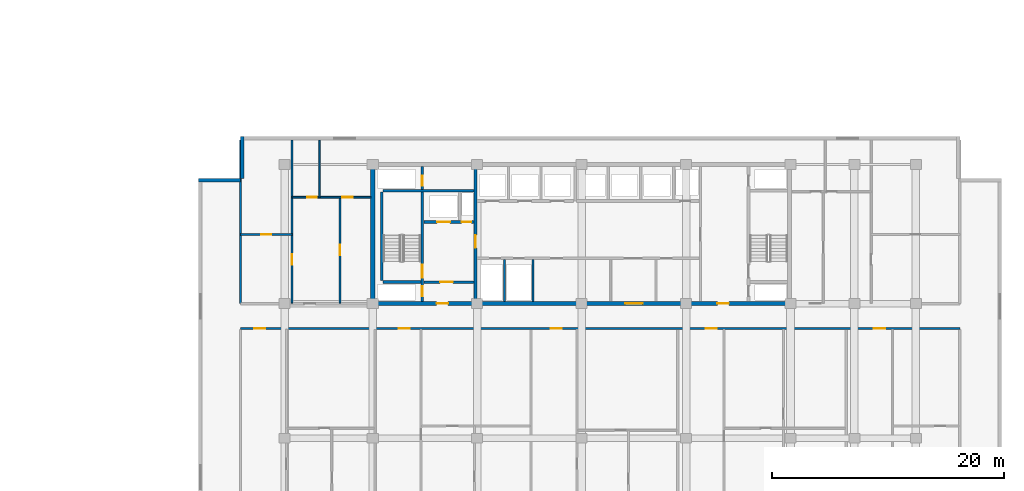
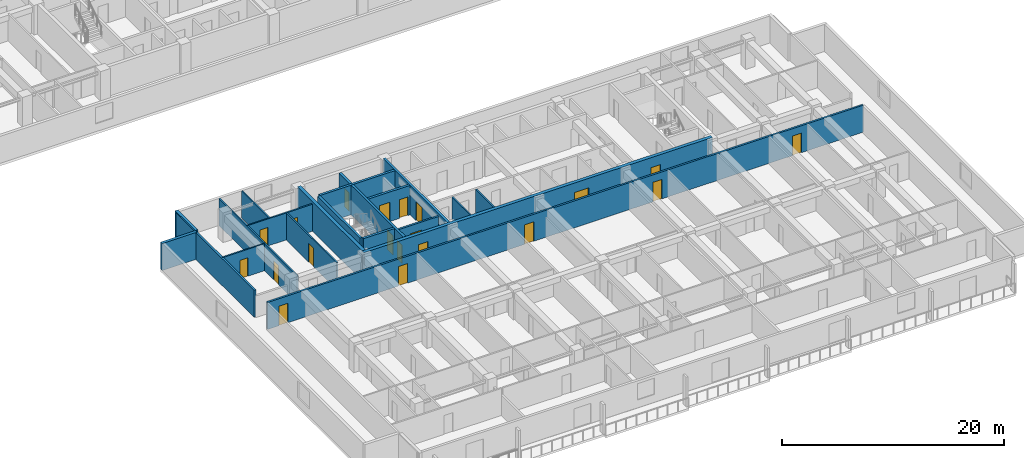
# One storey, part 6 of 24: 20 doors, 20 walls, 20 openings.
"""IFC4 building model written with IfcOpenShell, lengths in metres."""

from ifc_helpers import new_model, si_unit, direction, frame, frame_2d, origin, place, context, subcontext, project, spatial, rectangle, extrude, material, layer, layer_set, type_object, element, fill, save


model = new_model("IFC4")

# Units and contexts
model_context = context("Model", 3, precision=1e-05, world=origin(), true_north=direction((0.0, 1.0)))
body_context = subcontext(model_context, "Body", "Model", "MODEL_VIEW")
ifc_project = project(units=[si_unit("LENGTHUNIT", "METRE"), si_unit("AREAUNIT", "SQUARE_METRE"), si_unit("VOLUMEUNIT", "CUBIC_METRE"), si_unit("PLANEANGLEUNIT", "RADIAN"), si_unit("MASSUNIT", "GRAM", prefix="KILO")], contexts=[model_context])

# Site, building, storey
site_placement = place(None, origin())
site = spatial("IfcSite", under=ifc_project, at=site_placement, CompositionType="ELEMENT")
building_placement = place(site_placement, origin())
building = spatial("IfcBuilding", under=site, at=building_placement, Name="Korimba Cascade Residences", CompositionType="ELEMENT")
storey_placement = place(building_placement, frame((0.0, 0.0, 63.0)))
storey = spatial("IfcBuildingStorey", under=building, at=storey_placement, Name="L17", CompositionType="ELEMENT", Elevation=63.0)

# Walls
ifc_material_1 = material(Name="Precast concrete C40/50", Category="concrete")
ifc_layer_1 = layer(ifc_material_1, 0.300048828125)
ifc_layer_set_1 = layer_set([ifc_layer_1], Name="Precast concrete C40/50")
wall_type_1 = type_object("IfcWallType", Name="EW-STONE-300", PredefinedType="STANDARD", material=ifc_layer_set_1)
wall_1_placement = place(storey_placement, frame((70.85009765625, 32.800048828125, 0.0), z_axis=(0.0, 0.0, 1.0), x_axis=(0.0, -1.0, 0.0)))
element("IfcWall", 1, at=wall_1_placement, inside=storey, type_object=wall_type_1, Name="L17 T2 Perimeter Stone Wall E07", PredefinedType="STANDARD", context=body_context, shape_type="SweptSolid", body=[
    extrude(rectangle(XDim=3.60009765625, YDim=0.300048828125, at=frame_2d((1.800048828125, 0.0))), origin(), (0.0, 0.0, 1.0), 2.969970703125),
])
wall_2_placement = place(storey_placement, frame((70.699951171875, 29.050048828125, 0.0), z_axis=(0.0, 0.0, 1.0), x_axis=(-1.0, 0.0, 0.0)))
element("IfcWall", 2, at=wall_2_placement, inside=storey, type_object=wall_type_1, Name="L17 T2 Perimeter Stone Wall E08", PredefinedType="STANDARD", context=body_context, shape_type="SweptSolid", body=[
    extrude(rectangle(XDim=3.599853515625, YDim=0.300048828125, at=frame_2d((1.7998046875, 0.0))), origin(), (0.0, 0.0, 1.0), 2.969970703125),
])
ifc_material_2 = material(Name="Concrete C65/80", Category="concrete")
ifc_layer_2 = layer(ifc_material_2, 0.35009765625)
ifc_layer_set_2 = layer_set([ifc_layer_2], Name="Concrete C65/80")
wall_type_2 = type_object("IfcWallType", Name="WAL-CORE-350", PredefinedType="SHEAR", material=ifc_layer_set_2)
wall_3_placement = place(storey_placement, frame((82.10009765625, 18.574951171875, 0.0), z_axis=(0.0, 0.0, 1.0), x_axis=(0.0, 1.0, 0.0)))
element("IfcWall", 3, at=wall_3_placement, inside=storey, type_object=wall_type_2, Name="L17 Core Shear Wall CW-L17-T2-W", PredefinedType="SHEAR", context=body_context, shape_type="SweptSolid", body=[
    extrude(rectangle(XDim=11.650146484375, YDim=0.35009765625, at=frame_2d((5.8251953125, 0.0))), origin(), (0.0, 0.0, 1.0), 3.25),
])

# Wall, openings, doors
wall_4_placement = place(storey_placement, frame((81.925048828125, 18.39990234375, 0.0), z_axis=(0.0, 0.0, 1.0), x_axis=(1.0, 0.0, 0.0)))
wall_4 = element("IfcWall", 4, at=wall_4_placement, inside=storey, type_object=wall_type_2, Name="L17 Core Shear Wall CW-L17-T2-S", PredefinedType="SHEAR", context=body_context, shape_type="SweptSolid", body=[
    extrude(rectangle(XDim=36.264892578125, YDim=0.35009765625, at=frame_2d((18.13232421875, 0.0))), origin(), (0.0, 0.0, 1.0), 3.25),
])
opening_1_placement = place(wall_4_placement, frame((5.675048828125, 0.0, 0.0)))
opening_1 = element("IfcOpeningElement", 5, at=opening_1_placement, cuts=wall_4, Name="Opening D-FD5", PredefinedType="OPENING", context=body_context, shape_type="SweptSolid", body=[
    extrude(rectangle(XDim=1.0, YDim=2.14990234375, at=frame_2d((0.5, 1.074951171875))), frame((0.0, 0.18505859375, 0.0), z_axis=(0.0, -1.0, 0.0), x_axis=(1.0, 0.0, 0.0)), (0.0, 0.0, 1.0), 0.3701171875),
])
opening_2_placement = place(wall_4_placement, frame((21.925048828125, 0.0, 0.0)))
opening_2 = element("IfcOpeningElement", 6, at=opening_2_placement, cuts=wall_4, Name="Opening D-FD8", PredefinedType="OPENING", context=body_context, shape_type="SweptSolid", body=[
    extrude(rectangle(XDim=1.5, YDim=2.199951171875, at=frame_2d((0.75, 1.10009765625))), frame((0.0, 0.18505859375, 0.0), z_axis=(0.0, -1.0, 0.0), x_axis=(1.0, 0.0, 0.0)), (0.0, 0.0, 1.0), 0.3701171875),
])
opening_3_placement = place(wall_4_placement, frame((29.875, 0.0, 0.0)))
opening_3 = element("IfcOpeningElement", 7, at=opening_3_placement, cuts=wall_4, Name="Opening D-FD5", PredefinedType="OPENING", context=body_context, shape_type="SweptSolid", body=[
    extrude(rectangle(XDim=1.0, YDim=2.14990234375, at=frame_2d((0.5, 1.074951171875))), frame((0.0, 0.18505859375, 0.0), z_axis=(0.0, -1.0, 0.0), x_axis=(1.0, 0.0, 0.0)), (0.0, 0.0, 1.0), 0.3701171875),
])
ifc_material_3 = material(Name="Fire-Rated Acoustic Timber Vestibule Door", Category="wood")
door_type_1 = type_object("IfcDoorType", Name="DR-FD90-1000", OperationType="NOTDEFINED", PredefinedType="DOOR", material=ifc_material_3)
door_1_placement = place(opening_1_placement, origin())
door_1 = element("IfcDoor", 8, at=door_1_placement, inside=storey, type_object=door_type_1, Name="L17 T2 West Core Vestibule Fire Door", OperationType="SINGLE_SWING_LEFT", OverallHeight=2.14990234375, OverallWidth=1.0, PredefinedType="DOOR", context=body_context, shape_type="SweptSolid", body=[
    extrude(rectangle(XDim=1.0, YDim=2.14990234375, at=frame_2d((0.5, 1.074951171875))), frame((0.0, 0.02490234375, 0.0), z_axis=(0.0, -1.0, 0.0), x_axis=(1.0, 0.0, 0.0)), (0.0, 0.0, 1.0), 0.050048828125),
])
fill(opening_1, door_1)
door_2_placement = place(opening_3_placement, origin())
door_2 = element("IfcDoor", 9, at=door_2_placement, inside=storey, type_object=door_type_1, Name="L17 T2 East Stair Vestibule Fire Door", OperationType="SINGLE_SWING_RIGHT", OverallHeight=2.14990234375, OverallWidth=1.0, PredefinedType="DOOR", context=body_context, shape_type="SweptSolid", body=[
    extrude(rectangle(XDim=1.0, YDim=2.14990234375, at=frame_2d((0.5, 1.074951171875))), frame((0.0, 0.02490234375, 0.0), z_axis=(0.0, -1.0, 0.0), x_axis=(1.0, 0.0, 0.0)), (0.0, 0.0, 1.0), 0.050048828125),
])
fill(opening_3, door_2)
ifc_material_4 = material(Name="Fire-Rated Glazed Lift Lobby Double Door", Category="glass")
door_type_2 = type_object("IfcDoorType", Name="DR-FD90-1500", OperationType="NOTDEFINED", PredefinedType="DOOR", material=ifc_material_4)
door_3_placement = place(opening_2_placement, origin())
door_3 = element("IfcDoor", 10, at=door_3_placement, inside=storey, type_object=door_type_2, Name="L17 T2 Lift Lobby Fire Door", OperationType="DOUBLE_DOOR_SINGLE_SWING", OverallHeight=2.199951171875, OverallWidth=1.5, PredefinedType="DOOR", context=body_context, shape_type="SweptSolid", body=[
    extrude(rectangle(XDim=1.5, YDim=2.199951171875, at=frame_2d((0.75, 1.10009765625))), frame((0.0, 0.02490234375, 0.0), z_axis=(0.0, -1.0, 0.0), x_axis=(1.0, 0.0, 0.0)), (0.0, 0.0, 1.0), 0.050048828125),
])
fill(opening_2, door_3)

# Wall
ifc_layer_3 = layer(ifc_material_1, 0.199951171875)
ifc_layer_set_3 = layer_set([ifc_layer_3], Name="Precast concrete C40/50")
wall_type_3 = type_object("IfcWallType", Name="WAL-IT-200", PredefinedType="PARTITIONING", material=ifc_layer_set_3)
wall_5_placement = place(storey_placement, frame((70.699951171875, 18.39990234375, 0.0), z_axis=(0.0, 0.0, 1.0), x_axis=(0.0, 1.0, 0.0)))
element("IfcWall", 11, at=wall_5_placement, inside=storey, type_object=wall_type_3, Name="L17 Partition Wall WAL-L17-T2-FW-WL", PredefinedType="PARTITIONING", context=body_context, shape_type="SweptSolid", body=[
    extrude(rectangle(XDim=14.10009765625, YDim=0.199951171875, at=frame_2d((7.050048828125, 0.0))), origin(), (0.0, 0.0, 1.0), 2.969970703125),
])

# Wall, openings, doors
wall_6_placement = place(storey_placement, frame((70.699951171875, 16.25, 0.0), z_axis=(0.0, 0.0, 1.0), x_axis=(1.0, 0.0, 0.0)))
wall_6 = element("IfcWall", 12, at=wall_6_placement, inside=storey, type_object=wall_type_3, Name="L17 Partition Wall WAL-L17-T2-CORS", PredefinedType="PARTITIONING", context=body_context, shape_type="SweptSolid", body=[
    extrude(rectangle(XDim=62.0, YDim=0.199951171875, at=frame_2d((31.0, 0.0))), origin(), (0.0, 0.0, 1.0), 2.969970703125),
])
opening_4_placement = place(wall_6_placement, frame((1.18603515625, 0.0, 0.0)))
opening_4 = element("IfcOpeningElement", 13, at=opening_4_placement, cuts=wall_6, Name="Opening D-UN1", PredefinedType="OPENING", context=body_context, shape_type="SweptSolid", body=[
    extrude(rectangle(XDim=0.949951171875, YDim=2.14990234375, at=frame_2d((0.47509765625, 1.074951171875))), frame((0.0, 0.10986328125, 0.0), z_axis=(0.0, -1.0, 0.0), x_axis=(1.0, 0.0, 0.0)), (0.0, 0.0, 1.0), 0.219970703125),
])
opening_5_placement = place(wall_6_placement, frame((13.634765625, 0.0, 0.0)))
opening_5 = element("IfcOpeningElement", 14, at=opening_5_placement, cuts=wall_6, Name="Opening D-UN1", PredefinedType="OPENING", context=body_context, shape_type="SweptSolid", body=[
    extrude(rectangle(XDim=0.949951171875, YDim=2.14990234375, at=frame_2d((0.47509765625, 1.074951171875))), frame((0.0, 0.10986328125, 0.0), z_axis=(0.0, -1.0, 0.0), x_axis=(1.0, 0.0, 0.0)), (0.0, 0.0, 1.0), 0.219970703125),
])
opening_6_placement = place(wall_6_placement, frame((26.750244140625, 0.0, 0.0)))
opening_6 = element("IfcOpeningElement", 15, at=opening_6_placement, cuts=wall_6, Name="Opening D-UN1", PredefinedType="OPENING", context=body_context, shape_type="SweptSolid", body=[
    extrude(rectangle(XDim=0.949951171875, YDim=2.14990234375, at=frame_2d((0.47509765625, 1.074951171875))), frame((0.0, 0.10986328125, 0.0), z_axis=(0.0, -1.0, 0.0), x_axis=(1.0, 0.0, 0.0)), (0.0, 0.0, 1.0), 0.219970703125),
])
opening_7_placement = place(wall_6_placement, frame((40.080810546875, 0.0, 0.0)))
opening_7 = element("IfcOpeningElement", 16, at=opening_7_placement, cuts=wall_6, Name="Opening D-UN1", PredefinedType="OPENING", context=body_context, shape_type="SweptSolid", body=[
    extrude(rectangle(XDim=0.949951171875, YDim=2.14990234375, at=frame_2d((0.47509765625, 1.074951171875))), frame((0.0, 0.10986328125, 0.0), z_axis=(0.0, -1.0, 0.0), x_axis=(1.0, 0.0, 0.0)), (0.0, 0.0, 1.0), 0.219970703125),
])
opening_8_placement = place(wall_6_placement, frame((54.596435546875, 0.0, 0.0)))
opening_8 = element("IfcOpeningElement", 17, at=opening_8_placement, cuts=wall_6, Name="Opening D-UN1", PredefinedType="OPENING", context=body_context, shape_type="SweptSolid", body=[
    extrude(rectangle(XDim=0.949951171875, YDim=2.14990234375, at=frame_2d((0.47509765625, 1.074951171875))), frame((0.0, 0.10986328125, 0.0), z_axis=(0.0, -1.0, 0.0), x_axis=(1.0, 0.0, 0.0)), (0.0, 0.0, 1.0), 0.219970703125),
])
ifc_material_5 = material(Name="Fire-Rated Hardwood Apartment Entrance Door", Category="wood")
door_type_3 = type_object("IfcDoorType", Name="DR-FD60-950", OperationType="NOTDEFINED", PredefinedType="DOOR", material=ifc_material_5)
door_4_placement = place(opening_4_placement, origin())
door_4 = element("IfcDoor", 18, at=door_4_placement, inside=storey, type_object=door_type_3, Name="Unit L17-T2-U01 Entrance Door", OperationType="SINGLE_SWING_LEFT", OverallHeight=2.14990234375, OverallWidth=0.949951171875, PredefinedType="DOOR", context=body_context, shape_type="SweptSolid", body=[
    extrude(rectangle(XDim=0.949951171875, YDim=2.14990234375, at=frame_2d((0.47509765625, 1.074951171875))), frame((0.0, 0.02490234375, 0.0), z_axis=(0.0, -1.0, 0.0), x_axis=(1.0, 0.0, 0.0)), (0.0, 0.0, 1.0), 0.050048828125),
])
fill(opening_4, door_4)
door_5_placement = place(opening_5_placement, origin())
door_5 = element("IfcDoor", 19, at=door_5_placement, inside=storey, type_object=door_type_3, Name="Unit L17-T2-U02 Entrance Door", OperationType="SINGLE_SWING_RIGHT", OverallHeight=2.14990234375, OverallWidth=0.949951171875, PredefinedType="DOOR", context=body_context, shape_type="SweptSolid", body=[
    extrude(rectangle(XDim=0.949951171875, YDim=2.14990234375, at=frame_2d((0.47509765625, 1.074951171875))), frame((0.0, 0.02490234375, 0.0), z_axis=(0.0, -1.0, 0.0), x_axis=(1.0, 0.0, 0.0)), (0.0, 0.0, 1.0), 0.050048828125),
])
fill(opening_5, door_5)
door_6_placement = place(opening_6_placement, origin())
door_6 = element("IfcDoor", 20, at=door_6_placement, inside=storey, type_object=door_type_3, Name="Unit L17-T2-U03 Entrance Door", OperationType="SINGLE_SWING_LEFT", OverallHeight=2.14990234375, OverallWidth=0.949951171875, PredefinedType="DOOR", context=body_context, shape_type="SweptSolid", body=[
    extrude(rectangle(XDim=0.949951171875, YDim=2.14990234375, at=frame_2d((0.47509765625, 1.074951171875))), frame((0.0, 0.02490234375, 0.0), z_axis=(0.0, -1.0, 0.0), x_axis=(1.0, 0.0, 0.0)), (0.0, 0.0, 1.0), 0.050048828125),
])
fill(opening_6, door_6)
door_7_placement = place(opening_7_placement, origin())
door_7 = element("IfcDoor", 21, at=door_7_placement, inside=storey, type_object=door_type_3, Name="Unit L17-T2-U04 Entrance Door", OperationType="SINGLE_SWING_RIGHT", OverallHeight=2.14990234375, OverallWidth=0.949951171875, PredefinedType="DOOR", context=body_context, shape_type="SweptSolid", body=[
    extrude(rectangle(XDim=0.949951171875, YDim=2.14990234375, at=frame_2d((0.47509765625, 1.074951171875))), frame((0.0, 0.02490234375, 0.0), z_axis=(0.0, -1.0, 0.0), x_axis=(1.0, 0.0, 0.0)), (0.0, 0.0, 1.0), 0.050048828125),
])
fill(opening_7, door_7)
door_8_placement = place(opening_8_placement, origin())
door_8 = element("IfcDoor", 22, at=door_8_placement, inside=storey, type_object=door_type_3, Name="Unit L17-T2-U05 Entrance Door", OperationType="SINGLE_SWING_LEFT", OverallHeight=2.14990234375, OverallWidth=0.949951171875, PredefinedType="DOOR", context=body_context, shape_type="SweptSolid", body=[
    extrude(rectangle(XDim=0.949951171875, YDim=2.14990234375, at=frame_2d((0.47509765625, 1.074951171875))), frame((0.0, 0.02490234375, 0.0), z_axis=(0.0, -1.0, 0.0), x_axis=(1.0, 0.0, 0.0)), (0.0, 0.0, 1.0), 0.050048828125),
])
fill(opening_8, door_8)

# Walls
ifc_material_6 = material(Name="Insulated Acoustic Stud Partition", Category="gypsum")
ifc_layer_4 = layer(ifc_material_6, 0.14990234375)
ifc_layer_set_4 = layer_set([ifc_layer_4], Name="Insulated Acoustic Stud Partition")
wall_type_4 = type_object("IfcWallType", Name="WAL-PART-150", PredefinedType="PARTITIONING", material=ifc_layer_set_4)
for number, where, z_axis, x_axis, name in (
    (23, (93.449951171875, 18.60009765625, 0.0), (0.0, 0.0, 1.0), (0.0, 1.0, 0.0), "L17 Partition Wall CW-L17-T2-ERDIV"),
    (24, (95.89990234375, 18.60009765625, 0.0), (0.0, 0.0, 1.0), (0.0, 1.0, 0.0), "L17 Partition Wall CW-L17-T2-PRDIV"),
):
    element("IfcWall", number, at=place(storey_placement, frame(where, z_axis=z_axis, x_axis=x_axis)), inside=storey, type_object=wall_type_4, Name=name, PredefinedType="PARTITIONING", context=body_context, shape_type="SweptSolid", body=[
        extrude(rectangle(XDim=3.599853515625, YDim=0.14990234375, at=frame_2d((1.7998046875, 0.0))), origin(), (0.0, 0.0, 1.0), 2.969970703125),
    ])

# Wall, opening, door
wall_7_placement = place(storey_placement, frame((70.699951171875, 24.35009765625, 0.0), z_axis=(0.0, 0.0, 1.0), x_axis=(1.0, 0.0, 0.0)))
wall_7 = element("IfcWall", 25, at=wall_7_placement, inside=storey, type_object=wall_type_4, Name="L17 Partition Wall WAL-L17-T2-FW-STH", PredefinedType="PARTITIONING", context=body_context, shape_type="SweptSolid", body=[
    extrude(rectangle(XDim=4.449951171875, YDim=0.14990234375, at=frame_2d((2.22509765625, 0.0))), origin(), (0.0, 0.0, 1.0), 2.969970703125),
])
opening_9_placement = place(wall_7_placement, frame((1.804931640625, 0.0, 0.0)))
opening_9 = element("IfcOpeningElement", 26, at=opening_9_placement, cuts=wall_7, Name="Opening D-BT1", PredefinedType="OPENING", context=body_context, shape_type="SweptSolid", body=[
    extrude(rectangle(XDim=0.840087890625, YDim=2.0400390625, at=frame_2d((0.419921875, 1.02001953125))), frame((0.0, 0.0849609375, 0.0), z_axis=(0.0, -1.0, 0.0), x_axis=(1.0, 0.0, 0.0)), (0.0, 0.0, 1.0), 0.169921875),
])
ifc_material_7 = material(Name="Moisture-Resistant Bathroom Timber Door", Category="wood")
door_type_4 = type_object("IfcDoorType", Name="DR-INT-850", OperationType="NOTDEFINED", PredefinedType="DOOR", material=ifc_material_7)
door_9_placement = place(opening_9_placement, origin())
door_9 = element("IfcDoor", 27, at=door_9_placement, inside=storey, type_object=door_type_4, Name="L17-T2-FW Dressing Store Door", OperationType="SINGLE_SWING_RIGHT", OverallHeight=2.0400390625, OverallWidth=0.840087890625, PredefinedType="DOOR", context=body_context, shape_type="SweptSolid", body=[
    extrude(rectangle(XDim=0.840087890625, YDim=2.0400390625, at=frame_2d((0.419921875, 1.02001953125))), frame((0.0, 0.02490234375, 0.0), z_axis=(0.0, -1.0, 0.0), x_axis=(1.0, 0.0, 0.0)), (0.0, 0.0, 1.0), 0.050048828125),
])
fill(opening_9, door_9)

wall_8_placement = place(storey_placement, frame((75.14990234375, 18.449951171875, 0.0), z_axis=(0.0, 0.0, 1.0), x_axis=(0.0, 1.0, 0.0)))
wall_8 = element("IfcWall", 28, at=wall_8_placement, inside=storey, type_object=wall_type_4, Name="L17 Partition Wall WAL-L17-T2-FW-STV", PredefinedType="PARTITIONING", context=body_context, shape_type="SweptSolid", body=[
    extrude(rectangle(XDim=14.050048828125, YDim=0.14990234375, at=frame_2d((7.02490234375, 0.0))), origin(), (0.0, 0.0, 1.0), 2.969970703125),
])
opening_10_placement = place(wall_8_placement, frame((3.320068359375, 0.0, 0.0)))
opening_10 = element("IfcOpeningElement", 29, at=opening_10_placement, cuts=wall_8, Name="Opening D-IN2", PredefinedType="OPENING", context=body_context, shape_type="SweptSolid", body=[
    extrude(rectangle(XDim=0.8798828125, YDim=2.06005859375, at=frame_2d((0.43994140625, 1.030029296875))), frame((0.0, 0.0849609375, 0.0), z_axis=(0.0, -1.0, 0.0), x_axis=(1.0, 0.0, 0.0)), (0.0, 0.0, 1.0), 0.169921875),
])
ifc_material_8 = material(Name="Acoustic Timber Bedroom Door", Category="wood")
door_type_5 = type_object("IfcDoorType", Name="DR-INT-880", OperationType="NOTDEFINED", PredefinedType="DOOR", material=ifc_material_8)
door_10_placement = place(opening_10_placement, origin())
door_10 = element("IfcDoor", 30, at=door_10_placement, inside=storey, type_object=door_type_5, Name="L17-T2-FW Study Door", OperationType="SINGLE_SWING_LEFT", OverallHeight=2.06005859375, OverallWidth=0.8798828125, PredefinedType="DOOR", context=body_context, shape_type="SweptSolid", body=[
    extrude(rectangle(XDim=0.8798828125, YDim=2.06005859375, at=frame_2d((0.43994140625, 1.030029296875))), frame((0.0, 0.02490234375, 0.0), z_axis=(0.0, -1.0, 0.0), x_axis=(1.0, 0.0, 0.0)), (0.0, 0.0, 1.0), 0.050048828125),
])
fill(opening_10, door_10)

wall_9_placement = place(storey_placement, frame((79.27001953125, 18.449951171875, 0.0), z_axis=(0.0, 0.0, 1.0), x_axis=(0.0, 1.0, 0.0)))
wall_9 = element("IfcWall", 31, at=wall_9_placement, inside=storey, type_object=wall_type_4, Name="L17 Partition Wall WAL-L17-T2-FW-VS", PredefinedType="PARTITIONING", context=body_context, shape_type="SweptSolid", body=[
    extrude(rectangle(XDim=9.1201171875, YDim=0.14990234375, at=frame_2d((4.56005859375, 0.0))), origin(), (0.0, 0.0, 1.0), 2.969970703125),
])
opening_11_placement = place(wall_9_placement, frame((4.10009765625, 0.0, 0.0)))
opening_11 = element("IfcOpeningElement", 32, at=opening_11_placement, cuts=wall_9, Name="Opening D-IN1", PredefinedType="OPENING", context=body_context, shape_type="SweptSolid", body=[
    extrude(rectangle(XDim=0.919921875, YDim=2.080078125, at=frame_2d((0.4599609375, 1.0400390625))), frame((0.0, 0.0849609375, 0.0), z_axis=(0.0, -1.0, 0.0), x_axis=(1.0, 0.0, 0.0)), (0.0, 0.0, 1.0), 0.169921875),
])
ifc_material_9 = material(Name="Acoustic Timber Living Door", Category="wood")
door_type_6 = type_object("IfcDoorType", Name="DR-INT-920", OperationType="NOTDEFINED", PredefinedType="DOOR", material=ifc_material_9)
door_11_placement = place(opening_11_placement, origin())
door_11 = element("IfcDoor", 33, at=door_11_placement, inside=storey, type_object=door_type_6, Name="L17-T2-FW Living Door", OperationType="SINGLE_SWING_RIGHT", OverallHeight=2.080078125, OverallWidth=0.919921875, PredefinedType="DOOR", context=body_context, shape_type="SweptSolid", body=[
    extrude(rectangle(XDim=0.919921875, YDim=2.080078125, at=frame_2d((0.4599609375, 1.0400390625))), frame((0.0, 0.02490234375, 0.0), z_axis=(0.0, -1.0, 0.0), x_axis=(1.0, 0.0, 0.0)), (0.0, 0.0, 1.0), 0.050048828125),
])
fill(opening_11, door_11)

# Wall
wall_10_placement = place(storey_placement, frame((77.5, 27.570068359375, 0.0), z_axis=(0.0, 0.0, 1.0), x_axis=(0.0, 1.0, 0.0)))
element("IfcWall", 34, at=wall_10_placement, inside=storey, type_object=wall_type_4, Name="L17 Partition Wall WAL-L17-T2-FW-VN", PredefinedType="PARTITIONING", context=body_context, shape_type="SweptSolid", body=[
    extrude(rectangle(XDim=4.929931640625, YDim=0.14990234375, at=frame_2d((2.46484375, 0.0))), origin(), (0.0, 0.0, 1.0), 2.969970703125),
])

# Wall, openings, doors
wall_11_placement = place(storey_placement, frame((75.169921875, 27.570068359375, 0.0), z_axis=(0.0, 0.0, 1.0), x_axis=(1.0, 0.0, 0.0)))
wall_11 = element("IfcWall", 35, at=wall_11_placement, inside=storey, type_object=wall_type_4, Name="L17 Partition Wall WAL-L17-T2-FW-H", PredefinedType="PARTITIONING", context=body_context, shape_type="SweptSolid", body=[
    extrude(rectangle(XDim=6.760009765625, YDim=0.14990234375, at=frame_2d((3.3798828125, 0.0))), origin(), (0.0, 0.0, 1.0), 2.969970703125),
])
opening_12_placement = place(wall_11_placement, frame((1.266357421875, 0.0, 0.0)))
opening_12 = element("IfcOpeningElement", 36, at=opening_12_placement, cuts=wall_11, Name="Opening D-BT1", PredefinedType="OPENING", context=body_context, shape_type="SweptSolid", body=[
    extrude(rectangle(XDim=0.840087890625, YDim=2.0400390625, at=frame_2d((0.419921875, 1.02001953125))), frame((0.0, 0.0849609375, 0.0), z_axis=(0.0, -1.0, 0.0), x_axis=(1.0, 0.0, 0.0)), (0.0, 0.0, 1.0), 0.169921875),
])
opening_13_placement = place(wall_11_placement, frame((4.320068359375, 0.0, 0.0)))
opening_13 = element("IfcOpeningElement", 37, at=opening_13_placement, cuts=wall_11, Name="Opening D-IN2", PredefinedType="OPENING", context=body_context, shape_type="SweptSolid", body=[
    extrude(rectangle(XDim=0.8798828125, YDim=2.06005859375, at=frame_2d((0.43994140625, 1.030029296875))), frame((0.0, 0.0849609375, 0.0), z_axis=(0.0, -1.0, 0.0), x_axis=(1.0, 0.0, 0.0)), (0.0, 0.0, 1.0), 0.169921875),
])
door_12_placement = place(opening_12_placement, origin())
door_12 = element("IfcDoor", 38, at=door_12_placement, inside=storey, type_object=door_type_4, Name="L17-T2-FW Bathroom Door", OperationType="SINGLE_SWING_LEFT", OverallHeight=2.0400390625, OverallWidth=0.840087890625, PredefinedType="DOOR", context=body_context, shape_type="SweptSolid", body=[
    extrude(rectangle(XDim=0.840087890625, YDim=2.0400390625, at=frame_2d((0.419921875, 1.02001953125))), frame((0.0, 0.02490234375, 0.0), z_axis=(0.0, -1.0, 0.0), x_axis=(1.0, 0.0, 0.0)), (0.0, 0.0, 1.0), 0.050048828125),
])
fill(opening_12, door_12)
door_13_placement = place(opening_13_placement, origin())
door_13 = element("IfcDoor", 39, at=door_13_placement, inside=storey, type_object=door_type_5, Name="L17-T2-FW Bedroom Door", OperationType="SINGLE_SWING_RIGHT", OverallHeight=2.06005859375, OverallWidth=0.8798828125, PredefinedType="DOOR", context=body_context, shape_type="SweptSolid", body=[
    extrude(rectangle(XDim=0.8798828125, YDim=2.06005859375, at=frame_2d((0.43994140625, 1.030029296875))), frame((0.0, 0.02490234375, 0.0), z_axis=(0.0, -1.0, 0.0), x_axis=(1.0, 0.0, 0.0)), (0.0, 0.0, 1.0), 0.050048828125),
])
fill(opening_13, door_13)

# Wall, opening, door
ifc_material_10 = material(Name="Concrete C40/50", Category="concrete")
ifc_layer_5 = layer(ifc_material_10, 0.199951171875)
ifc_layer_set_5 = layer_set([ifc_layer_5], Name="Concrete C40/50")
wall_type_5 = type_object("IfcWallType", Name="WAL-PART-200", PredefinedType="PARTITIONING", material=ifc_layer_set_5)
wall_12_placement = place(storey_placement, frame((86.5, 20.25, 0.0), z_axis=(0.0, 0.0, 1.0), x_axis=(1.0, 0.0, 0.0)))
wall_12 = element("IfcWall", 40, at=wall_12_placement, inside=storey, type_object=wall_type_5, Name="L17 Partition Wall CW-L17-T2-FFLS", PredefinedType="PARTITIONING", context=body_context, shape_type="SweptSolid", body=[
    extrude(rectangle(XDim=4.320068359375, YDim=0.199951171875, at=frame_2d((2.16015625, 0.0))), origin(), (0.0, 0.0, 1.0), 2.969970703125),
])
opening_14_placement = place(wall_12_placement, frame((1.39990234375, 0.0, 0.0)))
opening_14 = element("IfcOpeningElement", 41, at=opening_14_placement, cuts=wall_12, Name="Opening D-FD1", PredefinedType="OPENING", context=body_context, shape_type="SweptSolid", body=[
    extrude(rectangle(XDim=1.10009765625, YDim=2.10009765625, at=frame_2d((0.550048828125, 1.050048828125))), frame((0.0, 0.10986328125, 0.0), z_axis=(0.0, -1.0, 0.0), x_axis=(1.0, 0.0, 0.0)), (0.0, 0.0, 1.0), 0.219970703125),
])
ifc_material_11 = material(Name="Fire-Rated Steel Core Door", Category="steel")
door_type_7 = type_object("IfcDoorType", Name="DR-FD120-1100", OperationType="NOTDEFINED", PredefinedType="DOOR", material=ifc_material_11)
door_14_placement = place(opening_14_placement, origin())
door_14 = element("IfcDoor", 42, at=door_14_placement, inside=storey, type_object=door_type_7, Name="L17 T2 Firefighting Lobby Door", OperationType="SINGLE_SWING_LEFT", OverallHeight=2.10009765625, OverallWidth=1.10009765625, PredefinedType="DOOR", context=body_context, shape_type="SweptSolid", body=[
    extrude(rectangle(XDim=1.10009765625, YDim=2.10009765625, at=frame_2d((0.550048828125, 1.050048828125))), frame((0.0, 0.02490234375, 0.0), z_axis=(0.0, -1.0, 0.0), x_axis=(1.0, 0.0, 0.0)), (0.0, 0.0, 1.0), 0.050048828125),
])
fill(opening_14, door_14)

# Wall
ifc_material_12 = material(Name="Concrete C50/60", Category="concrete")
ifc_layer_6 = layer(ifc_material_12, 0.25)
ifc_layer_set_6 = layer_set([ifc_layer_6], Name="Concrete C50/60")
wall_type_6 = type_object("IfcWallType", Name="WAL-SHAFT-250", PredefinedType="SHEAR", material=ifc_layer_set_6)
wall_13_placement = place(storey_placement, frame((82.875, 20.39990234375, 0.0), z_axis=(0.0, 0.0, 1.0), x_axis=(0.0, 1.0, 0.0)))
element("IfcWall", 43, at=wall_13_placement, inside=storey, type_object=wall_type_6, Name="L17 Core Shear Wall CW-L17-T2-STE1W", PredefinedType="SHEAR", context=body_context, shape_type="SweptSolid", body=[
    extrude(rectangle(XDim=7.60009765625, YDim=0.25, at=frame_2d((3.800048828125, 0.0))), origin(), (0.0, 0.0, 1.0), 3.25),
])

# Wall, openings, doors
wall_14_placement = place(storey_placement, frame((86.364990234375, 18.60009765625, 0.0), z_axis=(0.0, 0.0, 1.0), x_axis=(0.0, 1.0, 0.0)))
wall_14 = element("IfcWall", 44, at=wall_14_placement, inside=storey, type_object=wall_type_6, Name="L17 Core Shear Wall CW-L17-T2-STE1E", PredefinedType="SHEAR", context=body_context, shape_type="SweptSolid", body=[
    extrude(rectangle(XDim=11.599853515625, YDim=0.25, at=frame_2d((5.7998046875, 0.0))), origin(), (0.0, 0.0, 1.0), 3.25),
])
opening_15_placement = place(wall_14_placement, frame((0.449951171875, 0.0, 0.0)))
opening_15 = element("IfcOpeningElement", 45, at=opening_15_placement, cuts=wall_14, Name="Opening D-RS1", PredefinedType="OPENING", context=body_context, shape_type="SweptSolid", body=[
    extrude(rectangle(XDim=0.85009765625, YDim=2.050048828125, at=frame_2d((0.425048828125, 1.02490234375))), frame((0.0, 0.135009765625, 0.0), z_axis=(0.0, -1.0, 0.0), x_axis=(1.0, 0.0, 0.0)), (0.0, 0.0, 1.0), 0.27001953125),
])
opening_16_placement = place(wall_14_placement, frame((2.050048828125, 0.0, 0.0)))
opening_16 = element("IfcOpeningElement", 46, at=opening_16_placement, cuts=wall_14, Name="Opening D-FD1", PredefinedType="OPENING", context=body_context, shape_type="SweptSolid", body=[
    extrude(rectangle(XDim=1.10009765625, YDim=2.10009765625, at=frame_2d((0.550048828125, 1.050048828125))), frame((0.0, 0.135009765625, 0.0), z_axis=(0.0, -1.0, 0.0), x_axis=(1.0, 0.0, 0.0)), (0.0, 0.0, 1.0), 0.27001953125),
])
opening_17_placement = place(wall_14_placement, frame((9.949951171875, 0.0, 0.0)))
opening_17 = element("IfcOpeningElement", 47, at=opening_17_placement, cuts=wall_14, Name="Opening D-RS1", PredefinedType="OPENING", context=body_context, shape_type="SweptSolid", body=[
    extrude(rectangle(XDim=0.85009765625, YDim=2.050048828125, at=frame_2d((0.425048828125, 1.02490234375))), frame((0.0, 0.135009765625, 0.0), z_axis=(0.0, -1.0, 0.0), x_axis=(1.0, 0.0, 0.0)), (0.0, 0.0, 1.0), 0.27001953125),
])
door_15_placement = place(opening_16_placement, origin())
door_15 = element("IfcDoor", 48, at=door_15_placement, inside=storey, type_object=door_type_7, Name="L17 Fire Stair ST-E1 Door", OperationType="SINGLE_SWING_RIGHT", OverallHeight=2.10009765625, OverallWidth=1.10009765625, PredefinedType="DOOR", context=body_context, shape_type="SweptSolid", body=[
    extrude(rectangle(XDim=1.10009765625, YDim=2.10009765625, at=frame_2d((0.550048828125, 1.050048828125))), frame((0.0, 0.02490234375, 0.0), z_axis=(0.0, -1.0, 0.0), x_axis=(1.0, 0.0, 0.0)), (0.0, 0.0, 1.0), 0.050048828125),
])
fill(opening_16, door_15)
ifc_material_13 = material(Name="Fire-Rated Steel Riser Access Door", Category="steel")
door_type_8 = type_object("IfcDoorType", Name="DR-FD60-850", OperationType="NOTDEFINED", PredefinedType="DOOR", material=ifc_material_13)
door_16_placement = place(opening_15_placement, origin())
door_16 = element("IfcDoor", 49, at=door_16_placement, inside=storey, type_object=door_type_8, Name="L17 T2 Hydrant Riser Door", OperationType="SINGLE_SWING_LEFT", OverallHeight=2.050048828125, OverallWidth=0.85009765625, PredefinedType="DOOR", context=body_context, shape_type="SweptSolid", body=[
    extrude(rectangle(XDim=0.85009765625, YDim=2.050048828125, at=frame_2d((0.425048828125, 1.02490234375))), frame((0.0, 0.02490234375, 0.0), z_axis=(0.0, -1.0, 0.0), x_axis=(1.0, 0.0, 0.0)), (0.0, 0.0, 1.0), 0.050048828125),
])
fill(opening_15, door_16)
door_17_placement = place(opening_17_placement, origin())
door_17 = element("IfcDoor", 50, at=door_17_placement, inside=storey, type_object=door_type_8, Name="L17 T2 Smoke Shaft Door", OperationType="SINGLE_SWING_LEFT", OverallHeight=2.050048828125, OverallWidth=0.85009765625, PredefinedType="DOOR", context=body_context, shape_type="SweptSolid", body=[
    extrude(rectangle(XDim=0.85009765625, YDim=2.050048828125, at=frame_2d((0.425048828125, 1.02490234375))), frame((0.0, 0.02490234375, 0.0), z_axis=(0.0, -1.0, 0.0), x_axis=(1.0, 0.0, 0.0)), (0.0, 0.0, 1.0), 0.050048828125),
])
fill(opening_17, door_17)

# Walls
wall_15_placement = place(storey_placement, frame((83.0, 20.27490234375, 0.0), z_axis=(0.0, 0.0, 1.0), x_axis=(1.0, 0.0, 0.0)))
element("IfcWall", 51, at=wall_15_placement, inside=storey, type_object=wall_type_6, Name="L17 Core Shear Wall CW-L17-T2-STE1S", PredefinedType="SHEAR", context=body_context, shape_type="SweptSolid", body=[
    extrude(rectangle(XDim=3.239990234375, YDim=0.25, at=frame_2d((1.6201171875, 0.0))), origin(), (0.0, 0.0, 1.0), 3.25),
])
wall_16_placement = place(storey_placement, frame((83.0, 28.125, 0.0), z_axis=(0.0, 0.0, 1.0), x_axis=(1.0, 0.0, 0.0)))
element("IfcWall", 52, at=wall_16_placement, inside=storey, type_object=wall_type_6, Name="L17 Core Shear Wall CW-L17-T2-STE1N", PredefinedType="SHEAR", context=body_context, shape_type="SweptSolid", body=[
    extrude(rectangle(XDim=7.820068359375, YDim=0.25, at=frame_2d((3.91015625, 0.0))), origin(), (0.0, 0.0, 1.0), 3.25),
])

# Wall, openings, doors
wall_17_placement = place(storey_placement, frame((86.5, 25.449951171875, 0.0), z_axis=(0.0, 0.0, 1.0), x_axis=(1.0, 0.0, 0.0)))
wall_17 = element("IfcWall", 53, at=wall_17_placement, inside=storey, type_object=wall_type_6, Name="L17 Core Shear Wall CW-L17-T2-FFLN", PredefinedType="SHEAR", context=body_context, shape_type="SweptSolid", body=[
    extrude(rectangle(XDim=4.320068359375, YDim=0.25, at=frame_2d((2.16015625, 0.0))), origin(), (0.0, 0.0, 1.0), 3.25),
])
opening_18_placement = place(wall_17_placement, frame((1.139892578125, 0.0, 0.0)))
opening_18 = element("IfcOpeningElement", 54, at=opening_18_placement, cuts=wall_17, Name="Opening LD-01", PredefinedType="OPENING", context=body_context, shape_type="SweptSolid", body=[
    extrude(rectangle(XDim=1.1201171875, YDim=2.1201171875, at=frame_2d((0.56005859375, 1.06005859375))), frame((0.0, 0.135009765625, 0.0), z_axis=(0.0, -1.0, 0.0), x_axis=(1.0, 0.0, 0.0)), (0.0, 0.0, 1.0), 0.27001953125),
])
opening_19_placement = place(wall_17_placement, frame((3.25, 0.0, 0.0)))
opening_19 = element("IfcOpeningElement", 55, at=opening_19_placement, cuts=wall_17, Name="Opening D-RS1", PredefinedType="OPENING", context=body_context, shape_type="SweptSolid", body=[
    extrude(rectangle(XDim=0.85009765625, YDim=2.050048828125, at=frame_2d((0.425048828125, 1.02490234375))), frame((0.0, 0.135009765625, 0.0), z_axis=(0.0, -1.0, 0.0), x_axis=(1.0, 0.0, 0.0)), (0.0, 0.0, 1.0), 0.27001953125),
])
door_18_placement = place(opening_19_placement, origin())
door_18 = element("IfcDoor", 56, at=door_18_placement, inside=storey, type_object=door_type_8, Name="L17 T2 Pressurisation Riser Door", OperationType="SINGLE_SWING_RIGHT", OverallHeight=2.050048828125, OverallWidth=0.85009765625, PredefinedType="DOOR", context=body_context, shape_type="SweptSolid", body=[
    extrude(rectangle(XDim=0.85009765625, YDim=2.050048828125, at=frame_2d((0.425048828125, 1.02490234375))), frame((0.0, 0.02490234375, 0.0), z_axis=(0.0, -1.0, 0.0), x_axis=(1.0, 0.0, 0.0)), (0.0, 0.0, 1.0), 0.050048828125),
])
fill(opening_19, door_18)
ifc_material_14 = material(Name="Stainless Steel Lift Landing Sliding Door", Category="steel")
door_type_9 = type_object("IfcDoorType", Name="DR-LIFT-1100", OperationType="NOTDEFINED", PredefinedType="DOOR", material=ifc_material_14)
door_19_placement = place(opening_18_placement, origin())
door_19 = element("IfcDoor", 57, at=door_19_placement, inside=storey, type_object=door_type_9, Name="L17 Firefighting Lift Landing Door FFL-E1", OperationType="SLIDING_TO_RIGHT", OverallHeight=2.1201171875, OverallWidth=1.1201171875, PredefinedType="DOOR", context=body_context, shape_type="SweptSolid", body=[
    extrude(rectangle(XDim=1.1201171875, YDim=2.1201171875, at=frame_2d((0.56005859375, 1.06005859375))), frame((0.0, 0.02490234375, 0.0), z_axis=(0.0, -1.0, 0.0), x_axis=(1.0, 0.0, 0.0)), (0.0, 0.0, 1.0), 0.050048828125),
])
fill(opening_18, door_19)

# Wall, opening, door
wall_18_placement = place(storey_placement, frame((90.949951171875, 18.60009765625, 0.0), z_axis=(0.0, 0.0, 1.0), x_axis=(0.0, 1.0, 0.0)))
wall_18 = element("IfcWall", 58, at=wall_18_placement, inside=storey, type_object=wall_type_6, Name="L17 Core Shear Wall CW-L17-T2-FFLE", PredefinedType="SHEAR", context=body_context, shape_type="SweptSolid", body=[
    extrude(rectangle(XDim=11.599853515625, YDim=0.25, at=frame_2d((5.7998046875, 0.0))), origin(), (0.0, 0.0, 1.0), 3.25),
])
opening_20_placement = place(wall_18_placement, frame((4.60009765625, 0.0, 0.0)))
opening_20 = element("IfcOpeningElement", 59, at=opening_20_placement, cuts=wall_18, Name="Opening D-FD1", PredefinedType="OPENING", context=body_context, shape_type="SweptSolid", body=[
    extrude(rectangle(XDim=1.10009765625, YDim=2.10009765625, at=frame_2d((0.550048828125, 1.050048828125))), frame((0.0, 0.135009765625, 0.0), z_axis=(0.0, -1.0, 0.0), x_axis=(1.0, 0.0, 0.0)), (0.0, 0.0, 1.0), 0.27001953125),
])
door_20_placement = place(opening_20_placement, origin())
door_20 = element("IfcDoor", 60, at=door_20_placement, inside=storey, type_object=door_type_7, Name="L17 T2 Firefighting Lobby to Lift Lobby Door", OperationType="SINGLE_SWING_RIGHT", OverallHeight=2.10009765625, OverallWidth=1.10009765625, PredefinedType="DOOR", context=body_context, shape_type="SweptSolid", body=[
    extrude(rectangle(XDim=1.10009765625, YDim=2.10009765625, at=frame_2d((0.550048828125, 1.050048828125))), frame((0.0, 0.02490234375, 0.0), z_axis=(0.0, -1.0, 0.0), x_axis=(1.0, 0.0, 0.0)), (0.0, 0.0, 1.0), 0.050048828125),
])
fill(opening_20, door_20)

save(model, "model.ifc")
